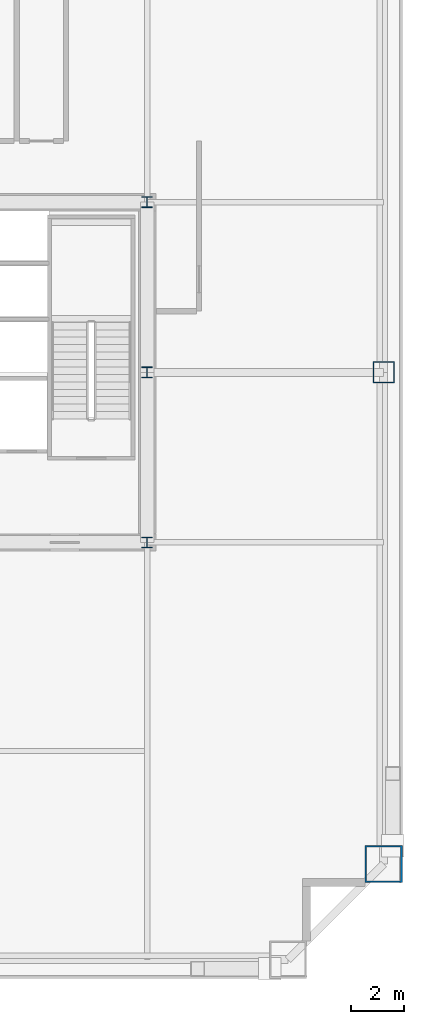
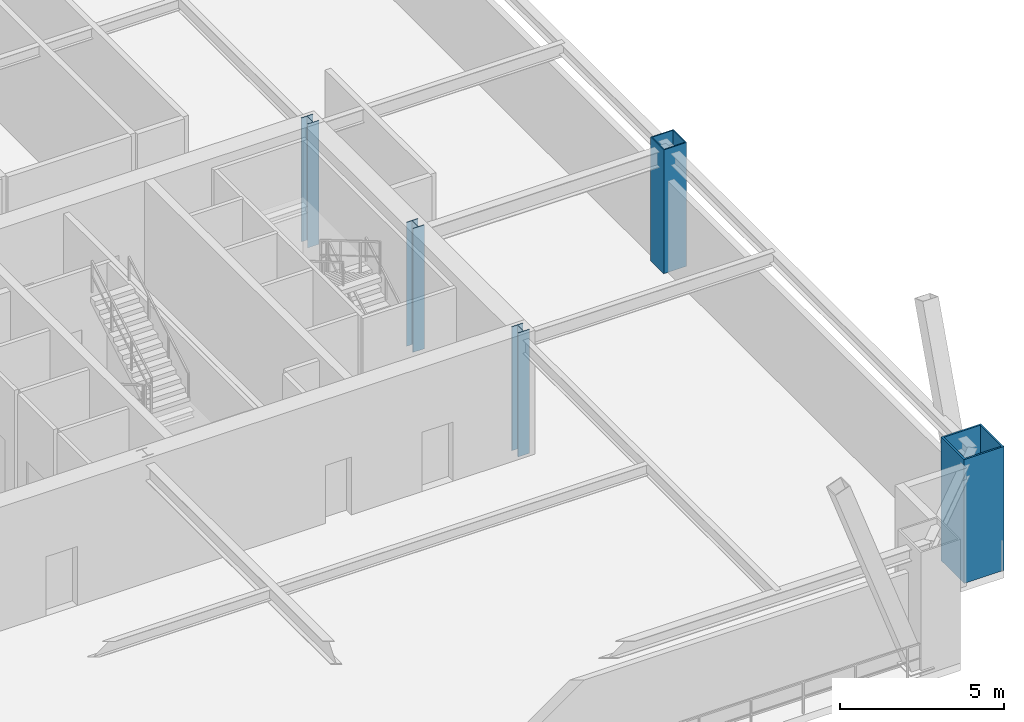
# One storey, part 2 of 9: 5 columns.
"""IFC4 building model written with IfcOpenShell, lengths in metres."""

import ifcopenshell
import ifcopenshell.guid

model = None  # the IFC model being written
_history = None  # IfcOwnerHistory: only IFC2X3 demands one
_inside = {}  # id of a spatial element -> (the spatial element, [elements in it])
_under = {}  # id of a project, library or spatial element -> (it, [spatial elements below it])
_declared = {}  # id of a project -> (the project, [libraries it declares])
_typed = {}  # id of a type object -> (the type object, [elements of that type])
_made_of = {}  # id of a material, layer set ... -> (it, [elements and type objects made of it])


def new_model(schema):
    """Start an empty IFC model of exactly this schema.

    Asked for "IFC4X3", IfcOpenShell would pick the latest addendum, in which some entities
    have other attributes; the version numbers below select the first issue.
    IFC2X3 requires an IfcOwnerHistory on every rooted entity: one is made here for all.
    """
    global model, _history
    if schema == "IFC4X3":
        model = ifcopenshell.file(schema_version=(4, 3, 0, 0))
    else:
        model = ifcopenshell.file(schema=schema)
    _inside.clear()
    _under.clear()
    _declared.clear()
    _typed.clear()
    _made_of.clear()
    _history = None
    if model.schema == "IFC2X3":
        org = make("IfcOrganization", Name="unknown")
        user = make(
            "IfcPersonAndOrganization",
            ThePerson=make("IfcPerson", FamilyName="unknown"),
            TheOrganization=org,
        )
        app = make(
            "IfcApplication",
            ApplicationDeveloper=org,
            Version="unknown",
            ApplicationFullName="unknown",
            ApplicationIdentifier="unknown",
        )
        _history = make(
            "IfcOwnerHistory",
            OwningUser=user,
            OwningApplication=app,
            ChangeAction="ADDED",
            CreationDate=0,
        )
    return model


def make(cls, **values):
    """One entity of the class cls with the attributes given. An attribute that is None is left unset."""
    return model.create_entity(
        cls, **{name: value for name, value in values.items() if value is not None}
    )


def rooted(cls, **values):
    """An entity with a GlobalId (a new one), such as an element, a storey or a relation."""
    return make(cls, GlobalId=ifcopenshell.guid.new(), OwnerHistory=_history, **values)


def si_unit(unit_type, name, prefix=None):
    """IfcSIUnit, for example si_unit("LENGTHUNIT", "METRE", prefix="MILLI")."""
    return make("IfcSIUnit", UnitType=unit_type, Prefix=prefix, Name=name)


def assignment(units):
    """IfcUnitAssignment: the units of a project."""
    return None if units is None else make("IfcUnitAssignment", Units=units)


def point(xyz):
    """IfcCartesianPoint."""
    return None if xyz is None else make("IfcCartesianPoint", Coordinates=xyz)


def direction(xyz):
    """IfcDirection."""
    return None if xyz is None else make("IfcDirection", DirectionRatios=xyz)


def frame(location, z_axis=None, x_axis=None):
    """IfcAxis2Placement3D, a coordinate frame: its origin and axes. An axis left out is left unset."""
    return make(
        "IfcAxis2Placement3D",
        Location=point(location),
        Axis=direction(z_axis),
        RefDirection=direction(x_axis),
    )


def frame_2d(location, x_axis=None):
    """IfcAxis2Placement2D, a coordinate frame in the plane: its origin and x axis."""
    return make(
        "IfcAxis2Placement2D", Location=point(location), RefDirection=direction(x_axis)
    )


def origin():
    """The frame at (0, 0, 0) with its axes left unset."""
    return frame((0.0, 0.0, 0.0))


def origin_2d():
    """The frame at (0, 0) in the plane with its x axis left unset."""
    return frame_2d((0.0, 0.0))


def place(relative_to, where):
    """IfcLocalPlacement: puts the frame where relative to a parent placement (None: the world)."""
    return make(
        "IfcLocalPlacement", PlacementRelTo=relative_to, RelativePlacement=where
    )


def context(
    kind, dimensions, precision=None, world=None, true_north=None, identifier=None
):
    """IfcGeometricRepresentationContext, for example the 3D "Model" context."""
    return make(
        "IfcGeometricRepresentationContext",
        ContextIdentifier=identifier,
        ContextType=kind,
        CoordinateSpaceDimension=dimensions,
        Precision=precision,
        WorldCoordinateSystem=world,
        TrueNorth=true_north,
    )


def subcontext(parent, identifier, kind, view, scale=None):
    """IfcGeometricRepresentationSubContext, for example "Body" below "Model"."""
    return make(
        "IfcGeometricRepresentationSubContext",
        ContextIdentifier=identifier,
        ContextType=kind,
        ParentContext=parent,
        TargetScale=scale,
        TargetView=view,
    )


def project(units=None, contexts=None):
    """IfcProject with its units and contexts."""
    return rooted(
        "IfcProject",
        Name="project",
        RepresentationContexts=contexts,
        UnitsInContext=assignment(units),
    )


def spatial(cls, under=None, at=None, **own):
    """A site, building, storey or space (cls), placed at a placement, below another one or the project."""
    s = rooted(cls, ObjectPlacement=at, **own)
    if under is not None:
        _under.setdefault(under.id(), (under, []))[1].append(s)
    return s


def profile(cls, at=None, kind="AREA", **sizes):
    """A parametric profile (cls). Its sizes go by their IFC names, for example OverallWidth=200.0."""
    return make(cls, ProfileType=kind, Position=at, **sizes)


def hollow_rectangle(**sizes):
    """IfcRectangleHollowProfileDef."""
    return profile("IfcRectangleHollowProfileDef", **sizes)


def i_section(**sizes):
    """IfcIShapeProfileDef."""
    return profile("IfcIShapeProfileDef", **sizes)


def extrude(swept, where, along, depth):
    """IfcExtrudedAreaSolid: the profile swept, set in the frame where, extruded along a direction by depth."""
    return make(
        "IfcExtrudedAreaSolid",
        SweptArea=swept,
        Position=where,
        ExtrudedDirection=direction(along),
        Depth=depth,
    )


def shape(context_of_items, identifier, shape_type, items):
    """IfcShapeRepresentation: the items that make up one representation, for example the "Body"."""
    return make(
        "IfcShapeRepresentation",
        ContextOfItems=context_of_items,
        RepresentationIdentifier=identifier,
        RepresentationType=shape_type,
        Items=items,
    )


def source(mapping_origin, context_of_items, identifier, shape_type, items):
    """IfcRepresentationMap: a shape defined once, which mapped items show again and again."""
    return make(
        "IfcRepresentationMap",
        MappingOrigin=mapping_origin,
        MappedRepresentation=shape(context_of_items, identifier, shape_type, items),
    )


def transform(
    local_origin,
    x_axis=None,
    y_axis=None,
    z_axis=None,
    scale=None,
    scale2=None,
    scale3=None,
    uniform=True,
):
    """IfcCartesianTransformationOperator3D, or its non-uniform kind. x_axis, y_axis, z_axis: its Axis1, 2, 3."""
    if uniform:
        return make(
            "IfcCartesianTransformationOperator3D",
            Axis1=direction(x_axis),
            Axis2=direction(y_axis),
            LocalOrigin=point(local_origin),
            Scale=scale,
            Axis3=direction(z_axis),
        )
    return make(
        "IfcCartesianTransformationOperator3DnonUniform",
        Axis1=direction(x_axis),
        Axis2=direction(y_axis),
        LocalOrigin=point(local_origin),
        Scale=scale,
        Axis3=direction(z_axis),
        Scale2=scale2,
        Scale3=scale3,
    )


def mapped(mapping_source, mapping_target):
    """IfcMappedItem: shows the shape of a source again, moved by a transform."""
    return make(
        "IfcMappedItem", MappingSource=mapping_source, MappingTarget=mapping_target
    )


def material(Name=None, Category=None):
    """IfcMaterial."""
    return make("IfcMaterial", Name=Name, Category=Category)


def material_profile(
    of_material, cross_section, Name=None, Category=None, Priority=None
):
    """IfcMaterialProfile: a cross section and its material."""
    return make(
        "IfcMaterialProfile",
        Name=Name,
        Material=of_material,
        Profile=cross_section,
        Priority=Priority,
        Category=Category,
    )


def profile_set(profiles, Name=None, composite=None):
    """IfcMaterialProfileSet."""
    return make(
        "IfcMaterialProfileSet",
        Name=Name,
        MaterialProfiles=profiles,
        CompositeProfile=composite,
    )


def made_of(thing, what):
    """Note that an element or type object is made of a material, layer set ...; save() writes the relation."""
    if what is not None:
        _made_of.setdefault(what.id(), (what, []))[1].append(thing)
    return thing


def type_object(cls, material=None, **own):
    """A type object (cls), such as IfcWallType, which elements share."""
    return made_of(rooted(cls, **own), material)


def element(
    cls,
    number,
    at=None,
    inside=None,
    cuts=None,
    type_object=None,
    material=None,
    context=None,
    identifier="Body",
    shape_type=None,
    held_by="IfcProductDefinitionShape",
    body=None,
    shapes=None,
    **own,
):
    """One element of the class cls, such as IfcWall. Its Tag is "e" and its number.

    at: its placement. inside: the storey or other place that contains it. cuts: it is an
    opening in that element (IfcRelVoidsElement). A single representation is given by context,
    identifier, shape_type and body (its items); several are given by shapes. held_by: the class
    of the entity that holds the representations. save() writes the other relations.
    """
    e = rooted(cls, Tag="e%d" % number, ObjectPlacement=at, **own)
    if body is not None:
        shapes = [shape(context, identifier, shape_type, body)]
    if shapes is not None:
        e.Representation = make(held_by, Representations=shapes)
    if inside is not None:
        _inside.setdefault(inside.id(), (inside, []))[1].append(e)
    if cuts is not None:
        rooted(
            "IfcRelVoidsElement", RelatingBuildingElement=cuts, RelatedOpeningElement=e
        )
    if type_object is not None:
        _typed.setdefault(type_object.id(), (type_object, []))[1].append(e)
    return made_of(e, material)


def aggregate(whole, parts):
    """IfcRelAggregates: a whole, such as a stair, and the parts it consists of."""
    return rooted("IfcRelAggregates", RelatingObject=whole, RelatedObjects=parts)


def save(model, path):
    """Write the relations noted so far, then the file.

    IfcRelAggregates (storeys below a building ...), IfcRelContainedInSpatialStructure (elements
    in a storey), IfcRelDefinesByType, IfcRelAssociatesMaterial and IfcRelDeclares: one each for
    every whole, place, type object, material and project.
    """
    for whole, parts in _under.values():
        aggregate(whole, parts)
    for where, things in _inside.values():
        rooted(
            "IfcRelContainedInSpatialStructure",
            RelatedElements=things,
            RelatingStructure=where,
        )
    for kind, things in _typed.values():
        rooted("IfcRelDefinesByType", RelatedObjects=things, RelatingType=kind)
    for what, things in _made_of.values():
        rooted("IfcRelAssociatesMaterial", RelatedObjects=things, RelatingMaterial=what)
    for by, libraries in _declared.values():
        rooted("IfcRelDeclares", RelatingContext=by, RelatedDefinitions=libraries)
    model.write(path)


model = new_model("IFC4")

# Units and contexts
model_context = context("Model", 3, precision=1e-05, world=origin(), true_north=direction((0.0, 1.0)))
body_context = subcontext(model_context, "Body", "Model", "MODEL_VIEW")
ifc_project = project(units=[si_unit("LENGTHUNIT", "METRE"), si_unit("AREAUNIT", "SQUARE_METRE"), si_unit("VOLUMEUNIT", "CUBIC_METRE"), si_unit("PLANEANGLEUNIT", "RADIAN"), si_unit("MASSUNIT", "GRAM", prefix="KILO"), si_unit("THERMODYNAMICTEMPERATUREUNIT", "KELVIN"), si_unit("POWERUNIT", "WATT")], contexts=[model_context])

# Site, building, storey
site_placement = place(None, origin())
site = spatial("IfcSite", under=ifc_project, at=site_placement, CompositionType="ELEMENT")
building_placement = place(site_placement, origin())
building = spatial("IfcBuilding", under=site, at=building_placement, Name="Yuzanri Waterfront Tower", CompositionType="ELEMENT")
storey_placement = place(building_placement, frame((0.0, 0.0, 176.39990234375)))
storey = spatial("IfcBuildingStorey", under=building, at=storey_placement, Name="L46", CompositionType="ELEMENT", Elevation=176.39990234375)

# Columns
ifc_material_1 = material(Name="Steel Q355B", Category="steel")
ifc_material_profile_1 = material_profile(ifc_material_1, i_section(OverallWidth=0.39990234375, OverallDepth=0.39990234375, WebThickness=0.012939453125, FlangeThickness=0.02099609375, at=origin_2d()), Name="HW 400x400x13x21")
ifc_profile_set_1 = profile_set([ifc_material_profile_1], Name="Steel Q355B")
column_type_1 = type_object("IfcColumnType", Name="Core Post Q355B HW 400x400x13x21", PredefinedType="COLUMN", material=ifc_profile_set_1)
shared_shape_1 = source(origin(), body_context, "Body", "SweptSolid", [
    extrude(i_section(OverallWidth=0.39990234375, OverallDepth=0.39990234375, WebThickness=0.012939453125, FlangeThickness=0.02099609375, at=origin_2d()), origin(), (0.0, 0.0, 1.0), 4.60009765625),
])
for number, where, z_axis, x_axis, name in (
    (1, (50.199951171875, 19.39990234375, 0.0), (0.0, 0.0, 1.0), (1.0, 0.0, 0.0), "L46 Core Boundary Column CP3"),
    (2, (50.199951171875, 25.800048828125, 0.0), (0.0, 0.0, 1.0), (1.0, 0.0, 0.0), "L46 Core Boundary Column CP5"),
    (3, (50.199951171875, 32.199951171875, 0.0), (0.0, 0.0, 1.0), (1.0, 0.0, 0.0), "L46 Core Boundary Column CP8"),
):
    element("IfcColumn", number, at=place(storey_placement, frame(where, z_axis=z_axis, x_axis=x_axis)), inside=storey, type_object=column_type_1, Name=name, PredefinedType="COLUMN", context=body_context, shape_type="MappedRepresentation", body=[
        mapped(shared_shape_1, transform((0.0, 0.0, 0.0), scale=1.0)),
    ])
ifc_material_2 = material(Name="Steel Q420GJC", Category="steel")
ifc_material_profile_2 = material_profile(ifc_material_2, hollow_rectangle(XDim=1.39990234375, YDim=1.39990234375, WallThickness=0.06005859375, at=origin_2d()), Name="RHS 1400x1400x60")
ifc_profile_set_2 = profile_set([ifc_material_profile_2], Name="Steel Q420GJC")
column_type_2 = type_object("IfcColumnType", Name="Mega Column Q420GJC RHS 1400x1400x60", PredefinedType="COLUMN", material=ifc_profile_set_2)
shared_shape_2 = source(origin(), body_context, "Body", "SweptSolid", [
    extrude(hollow_rectangle(XDim=1.39990234375, YDim=1.39990234375, WallThickness=0.06005859375, at=origin_2d()), origin(), (0.0, 0.0, 1.0), 4.60009765625),
])
column_1_placement = place(storey_placement, frame((59.10009765625, 7.300048828125, 0.0), z_axis=(0.0, 0.0, 1.0), x_axis=(1.0, 0.0, 0.0)))
element("IfcColumn", 4, at=column_1_placement, inside=storey, type_object=column_type_2, Name="L46 Perimeter Mega Column E1", PredefinedType="COLUMN", context=body_context, shape_type="MappedRepresentation", body=[
    mapped(shared_shape_2, transform((0.0, 0.0, 0.0), scale=1.0)),
])
ifc_material_3 = material(Name="Steel Q390GJC", Category="steel")
ifc_material_profile_3 = material_profile(ifc_material_3, hollow_rectangle(XDim=0.800048828125, YDim=0.800048828125, WallThickness=0.035888671875, at=origin_2d()), Name="RHS 800x800x36")
ifc_profile_set_3 = profile_set([ifc_material_profile_3], Name="Steel Q390GJC")
column_type_3 = type_object("IfcColumnType", Name="Frame Column Q390GJC RHS 800x800x36", PredefinedType="COLUMN", material=ifc_profile_set_3)
shared_shape_3 = source(origin(), body_context, "Body", "SweptSolid", [
    extrude(hollow_rectangle(XDim=0.800048828125, YDim=0.800048828125, WallThickness=0.035888671875, at=origin_2d()), origin(), (0.0, 0.0, 1.0), 4.60009765625),
])
column_2_placement = place(storey_placement, frame((59.10009765625, 25.800048828125, 0.0), z_axis=(0.0, 0.0, 1.0), x_axis=(1.0, 0.0, 0.0)))
element("IfcColumn", 5, at=column_2_placement, inside=storey, type_object=column_type_3, Name="L46 Perimeter Frame Column E2", PredefinedType="COLUMN", context=body_context, shape_type="MappedRepresentation", body=[
    mapped(shared_shape_3, transform((0.0, 0.0, 0.0), scale=1.0)),
])

save(model, "model.ifc")
